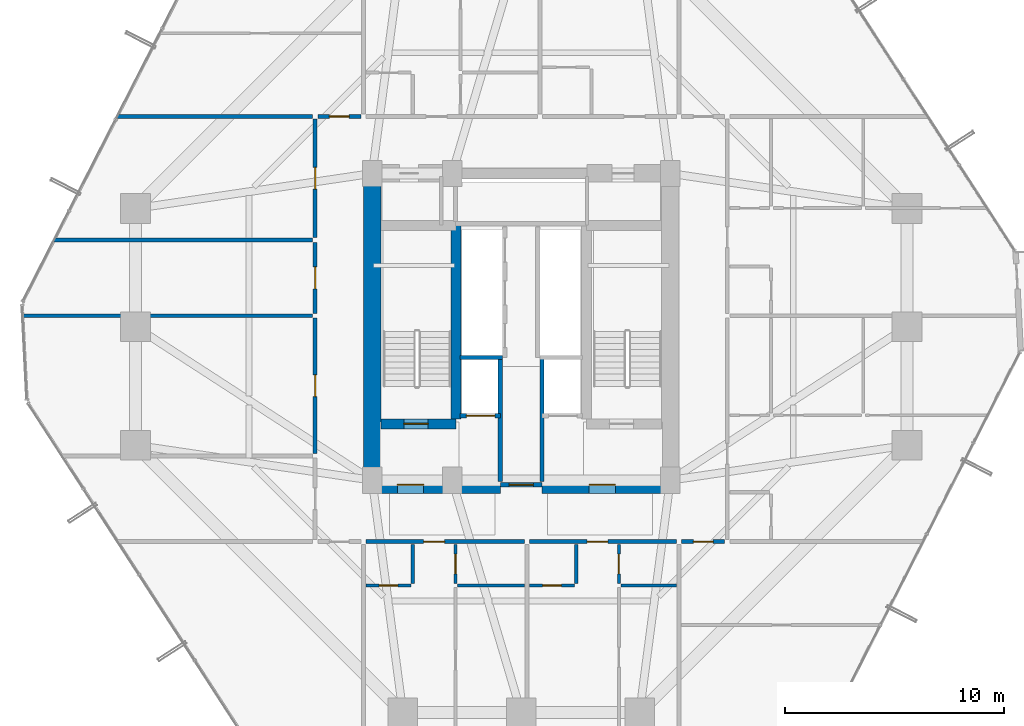
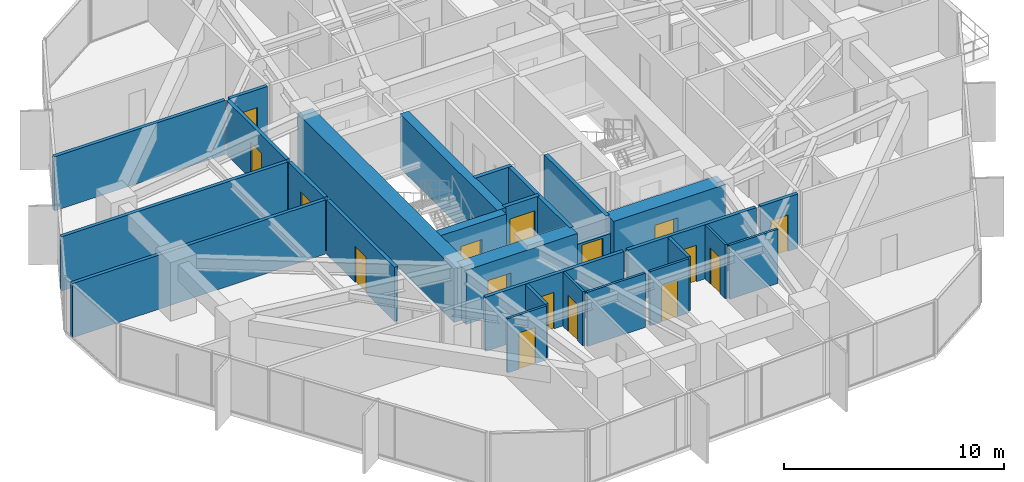
# One storey, part 33 of 37: 28 walls, 16 doors, 16 openings.
"""IFC4 building model written with IfcOpenShell, lengths in metres."""

from ifc_helpers import new_model, si_unit, direction, frame, frame_2d, origin, place, context, subcontext, project, spatial, rectangle, extrude, source, transform, mapped, material, layer, layer_set, type_object, element, fill, save


model = new_model("IFC4")

# Units and contexts
model_context = context("Model", 3, precision=1e-05, world=origin(), true_north=direction((0.0, 1.0)))
body_context = subcontext(model_context, "Body", "Model", "MODEL_VIEW")
ifc_project = project(units=[si_unit("LENGTHUNIT", "METRE"), si_unit("AREAUNIT", "SQUARE_METRE"), si_unit("VOLUMEUNIT", "CUBIC_METRE"), si_unit("PLANEANGLEUNIT", "RADIAN"), si_unit("MASSUNIT", "GRAM", prefix="KILO")], contexts=[model_context])

# Site, building, storey
site_placement = place(None, origin())
site = spatial("IfcSite", under=ifc_project, at=site_placement, CompositionType="ELEMENT")
building_placement = place(site_placement, origin())
building = spatial("IfcBuilding", under=site, at=building_placement, Name="Veraguas Prism Commons", CompositionType="ELEMENT")
storey_placement = place(building_placement, frame((0.0, 0.0, 33.800048828125)))
storey = spatial("IfcBuildingStorey", under=building, at=storey_placement, Name="L08", CompositionType="ELEMENT", Elevation=33.800048828125)

# Wall, opening, door
ifc_material_1 = material(Name="Concrete C60/75", Category="concrete")
ifc_layer_1 = layer(ifc_material_1, 0.449951171875, Name="Core Internal Shear Wall Lower RC 450", Category="concrete")
ifc_layer_set_1 = layer_set([ifc_layer_1], Name="Concrete C60/75")
wall_type_1 = type_object("IfcWallType", Name="Core Internal Shear Wall Lower RC 450", PredefinedType="SHEAR", material=ifc_layer_set_1)
wall_1_placement = place(storey_placement, frame((17.60009765625, 19.574951171875, 0.0), z_axis=(0.0, 0.0, 1.0), x_axis=(1.0, 0.0, 0.0)))
wall_1 = element("IfcWall", 1, at=wall_1_placement, inside=storey, type_object=wall_type_1, Name="Stair ST-01 South Shear Wall L08", PredefinedType="SHEAR", context=body_context, shape_type="SweptSolid", body=[
    extrude(rectangle(XDim=3.4248046875, YDim=0.449951171875, at=frame_2d((1.71240234375, 0.0))), origin(), (0.0, 0.0, 1.0), 3.0),
])
opening_1_placement = place(wall_1_placement, frame((1.050048828125, 0.0, 0.0)))
opening_1 = element("IfcOpeningElement", 2, at=opening_1_placement, cuts=wall_1, Name="Opening DR-05", PredefinedType="OPENING", context=body_context, shape_type="SweptSolid", body=[
    extrude(rectangle(XDim=1.10009765625, YDim=2.030029296875, at=frame_2d((0.550048828125, 1.01513671875))), frame((0.0, 0.23486328125, 0.0), z_axis=(0.0, -1.0, 0.0), x_axis=(1.0, 0.0, 0.0)), (0.0, 0.0, 1.0), 0.469970703125),
])
ifc_material_2 = material(Name="Steel fire-rated door assembly", Category="steel")
door_type_1 = type_object("IfcDoorType", Name="Protected Stair and Refuge Fire Door 1100x2030", OperationType="NOTDEFINED", PredefinedType="DOOR", material=ifc_material_2)
shared_shape_1 = source(origin(), body_context, "Body", "SweptSolid", [
    extrude(rectangle(XDim=1.10009765625, YDim=2.030029296875, at=frame_2d((0.550048828125, 1.01513671875))), frame((0.0, 0.02490234375, 0.0), z_axis=(0.0, -1.0, 0.0), x_axis=(1.0, 0.0, 0.0)), (0.0, 0.0, 1.0), 0.050048828125),
])
door_1_placement = place(opening_1_placement, origin())
door_1 = element("IfcDoor", 3, at=door_1_placement, inside=storey, type_object=door_type_1, Name="Stair ST-01 Enclosure Door L08", OperationType="SINGLE_SWING_LEFT", OverallHeight=2.030029296875, OverallWidth=1.10009765625, PredefinedType="DOOR", context=body_context, shape_type="MappedRepresentation", body=[
    mapped(shared_shape_1, transform((0.0, 0.0, 0.0), scale=1.0)),
])
fill(opening_1, door_1)

# Walls
wall_2_placement = place(storey_placement, frame((21.02490234375, 19.800048828125, 0.0), z_axis=(0.0, 0.0, 1.0), x_axis=(0.0, 1.0, 0.0)))
element("IfcWall", 4, at=wall_2_placement, inside=storey, type_object=wall_type_1, Name="Stair ST-01 Inner Shear Wall L08", PredefinedType="SHEAR", context=body_context, shape_type="SweptSolid", body=[
    extrude(rectangle(XDim=8.824951171875, YDim=0.449951171875, at=frame_2d((4.41259765625, 0.0))), origin(), (0.0, 0.0, 1.0), 3.0),
])
ifc_layer_2 = layer(ifc_material_1, 0.800048828125, Name="Core Outer Shear Wall Lower RC 800", Category="concrete")
ifc_layer_set_2 = layer_set([ifc_layer_2], Name="Concrete C60/75")
wall_type_2 = type_object("IfcWallType", Name="Core Outer Shear Wall Lower RC 800", PredefinedType="SHEAR", material=ifc_layer_set_2)
wall_3_placement = place(storey_placement, frame((17.199951171875, 16.800048828125, 0.0), z_axis=(0.0, 0.0, 1.0), x_axis=(0.0, 1.0, 0.0)))
element("IfcWall", 5, at=wall_3_placement, inside=storey, type_object=wall_type_2, Name="Central Core West Shear Wall L08", PredefinedType="SHEAR", context=body_context, shape_type="SweptSolid", body=[
    extrude(rectangle(XDim=14.199951171875, YDim=0.800048828125, at=frame_2d((7.10009765625, 0.0))), origin(), (0.0, 0.0, 1.0), 3.0),
])

# Wall, opening, door
wall_4_placement = place(storey_placement, frame((17.199951171875, 16.800048828125, 0.0), z_axis=(0.0, 0.0, 1.0), x_axis=(1.0, 0.0, 0.0)))
wall_4 = element("IfcWall", 6, at=wall_4_placement, inside=storey, type_object=wall_type_2, Name="Central Core South-West Shear Wall L08", PredefinedType="SHEAR", context=body_context, shape_type="SweptSolid", body=[
    extrude(rectangle(XDim=5.85009765625, YDim=0.800048828125, at=frame_2d((2.925048828125, 0.0))), origin(), (0.0, 0.0, 1.0), 3.0),
])
opening_2_placement = place(wall_4_placement, frame((1.14990234375, 0.0, 0.0)))
opening_2 = element("IfcOpeningElement", 7, at=opening_2_placement, cuts=wall_4, Name="Opening DR-06", PredefinedType="OPENING", context=body_context, shape_type="SweptSolid", body=[
    extrude(rectangle(XDim=1.199951171875, YDim=2.030029296875, at=frame_2d((0.60009765625, 1.01513671875))), frame((0.0, 0.409912109375, 0.0), z_axis=(0.0, -1.0, 0.0), x_axis=(1.0, 0.0, 0.0)), (0.0, 0.0, 1.0), 0.820068359375),
])
door_type_2 = type_object("IfcDoorType", Name="Firefighting Lobby Smoke Door 1200x2030", OperationType="NOTDEFINED", PredefinedType="DOOR", material=ifc_material_2)
shared_shape_2 = source(origin(), body_context, "Body", "SweptSolid", [
    extrude(rectangle(XDim=1.199951171875, YDim=2.030029296875, at=frame_2d((0.60009765625, 1.01513671875))), frame((0.0, 0.02490234375, 0.0), z_axis=(0.0, -1.0, 0.0), x_axis=(1.0, 0.0, 0.0)), (0.0, 0.0, 1.0), 0.050048828125),
])
door_2_placement = place(opening_2_placement, origin())
door_2 = element("IfcDoor", 8, at=door_2_placement, inside=storey, type_object=door_type_2, Name="West FF Lobby Door L08", OperationType="SINGLE_SWING_RIGHT", OverallHeight=2.030029296875, OverallWidth=1.199951171875, PredefinedType="DOOR", context=body_context, shape_type="MappedRepresentation", body=[
    mapped(shared_shape_2, transform((0.0, 0.0, 0.0), scale=1.0)),
])
fill(opening_2, door_2)

wall_5_placement = place(storey_placement, frame((24.949951171875, 16.800048828125, 0.0), z_axis=(0.0, 0.0, 1.0), x_axis=(1.0, 0.0, 0.0)))
wall_5 = element("IfcWall", 9, at=wall_5_placement, inside=storey, type_object=wall_type_2, Name="Central Core South-East Shear Wall L08", PredefinedType="SHEAR", context=body_context, shape_type="SweptSolid", body=[
    extrude(rectangle(XDim=5.85009765625, YDim=0.800048828125, at=frame_2d((2.925048828125, 0.0))), origin(), (0.0, 0.0, 1.0), 3.0),
])
opening_3_placement = place(wall_5_placement, frame((2.14990234375, 0.0, 0.0)))
opening_3 = element("IfcOpeningElement", 10, at=opening_3_placement, cuts=wall_5, Name="Opening DR-06", PredefinedType="OPENING", context=body_context, shape_type="SweptSolid", body=[
    extrude(rectangle(XDim=1.199951171875, YDim=2.030029296875, at=frame_2d((0.60009765625, 1.01513671875))), frame((0.0, 0.409912109375, 0.0), z_axis=(0.0, -1.0, 0.0), x_axis=(1.0, 0.0, 0.0)), (0.0, 0.0, 1.0), 0.820068359375),
])
door_3_placement = place(opening_3_placement, origin())
door_3 = element("IfcDoor", 11, at=door_3_placement, inside=storey, type_object=door_type_2, Name="East FF Lobby Door L08", OperationType="SINGLE_SWING_RIGHT", OverallHeight=2.030029296875, OverallWidth=1.199951171875, PredefinedType="DOOR", context=body_context, shape_type="MappedRepresentation", body=[
    mapped(shared_shape_2, transform((0.0, 0.0, 0.0), scale=1.0)),
])
fill(opening_3, door_3)

ifc_material_3 = material(Name="Autoclaved aerated masonry block 10 MPa", Category="masonry")
ifc_layer_3 = layer(ifc_material_3, 0.179931640625, Name="Corridor and Inter-Tenancy Partition 180", Category="masonry")
ifc_layer_set_3 = layer_set([ifc_layer_3], Name="Autoclaved aerated masonry block 10 MPa")
wall_type_3 = type_object("IfcWallType", Name="Corridor and Inter-Tenancy Partition 180", PredefinedType="PARTITIONING", material=ifc_layer_set_3)
wall_6_placement = place(storey_placement, frame((16.909912109375, 14.199951171875, 0.0), z_axis=(0.0, 0.0, 1.0), x_axis=(1.0, 0.0, 0.0)))
wall_6 = element("IfcWall", 12, at=wall_6_placement, inside=storey, type_object=wall_type_3, Name="WL-L08-PT003", PredefinedType="PARTITIONING", context=body_context, shape_type="SweptSolid", body=[
    extrude(rectangle(XDim=7.238037109375, YDim=0.179931640625, at=frame_2d((3.619140625, 0.0))), origin(), (0.0, 0.0, 1.0), 3.0),
])
opening_4_placement = place(wall_6_placement, frame((2.639892578125, 0.0, 0.0)))
opening_4 = element("IfcOpeningElement", 13, at=opening_4_placement, cuts=wall_6, Name="Opening DR-01", PredefinedType="OPENING", context=body_context, shape_type="SweptSolid", body=[
    extrude(rectangle(XDim=0.949951171875, YDim=2.02001953125, at=frame_2d((0.47509765625, 1.010009765625))), frame((0.0, 0.099853515625, 0.0), z_axis=(0.0, -1.0, 0.0), x_axis=(1.0, 0.0, 0.0)), (0.0, 0.0, 1.0), 0.199951171875),
])
ifc_material_4 = material(Name="Anodised aluminium EN AW-6063 T6", Category="aluminium")
door_type_3 = type_object("IfcDoorType", Name="Apartment Entrance Fire Door 950x2020", OperationType="NOTDEFINED", PredefinedType="DOOR", material=ifc_material_4)
shared_shape_3 = source(origin(), body_context, "Body", "SweptSolid", [
    extrude(rectangle(XDim=0.949951171875, YDim=2.02001953125, at=frame_2d((0.47509765625, 1.010009765625))), frame((0.0, 0.02490234375, 0.0), z_axis=(0.0, -1.0, 0.0), x_axis=(1.0, 0.0, 0.0)), (0.0, 0.0, 1.0), 0.050048828125),
])
door_4_placement = place(opening_4_placement, origin())
door_4 = element("IfcDoor", 14, at=door_4_placement, inside=storey, type_object=door_type_3, Name="Flat 08A Entrance Door", OperationType="SINGLE_SWING_LEFT", OverallHeight=2.02001953125, OverallWidth=0.949951171875, PredefinedType="DOOR", context=body_context, shape_type="MappedRepresentation", body=[
    mapped(shared_shape_3, transform((0.0, 0.0, 0.0), scale=1.0)),
])
fill(opening_4, door_4)

wall_7_placement = place(storey_placement, frame((24.367919921875, 14.199951171875, 0.0), z_axis=(0.0, 0.0, 1.0), x_axis=(1.0, 0.0, 0.0)))
wall_7 = element("IfcWall", 15, at=wall_7_placement, inside=storey, type_object=wall_type_3, Name="WL-L08-PT010", PredefinedType="PARTITIONING", context=body_context, shape_type="SweptSolid", body=[
    extrude(rectangle(XDim=6.72216796875, YDim=0.179931640625, at=frame_2d((3.361083984375, 0.0))), origin(), (0.0, 0.0, 1.0), 3.0),
])
opening_5_placement = place(wall_7_placement, frame((2.639892578125, 0.0, 0.0)))
opening_5 = element("IfcOpeningElement", 16, at=opening_5_placement, cuts=wall_7, Name="Opening DR-01", PredefinedType="OPENING", context=body_context, shape_type="SweptSolid", body=[
    extrude(rectangle(XDim=0.949951171875, YDim=2.02001953125, at=frame_2d((0.47509765625, 1.010009765625))), frame((0.0, 0.099853515625, 0.0), z_axis=(0.0, -1.0, 0.0), x_axis=(1.0, 0.0, 0.0)), (0.0, 0.0, 1.0), 0.199951171875),
])
door_5_placement = place(opening_5_placement, origin())
door_5 = element("IfcDoor", 17, at=door_5_placement, inside=storey, type_object=door_type_3, Name="Flat 08B Entrance Door", OperationType="SINGLE_SWING_LEFT", OverallHeight=2.02001953125, OverallWidth=0.949951171875, PredefinedType="DOOR", context=body_context, shape_type="MappedRepresentation", body=[
    mapped(shared_shape_3, transform((0.0, 0.0, 0.0), scale=1.0)),
])
fill(opening_5, door_5)

# Wall
wall_8_placement = place(storey_placement, frame((14.47998046875, 33.60009765625, 0.0), z_axis=(0.0, 0.0, 1.0), x_axis=(-1.0, 0.0, 0.0)))
element("IfcWall", 18, at=wall_8_placement, inside=storey, type_object=wall_type_3, Name="WL-L08-PT029", PredefinedType="PARTITIONING", context=body_context, shape_type="SweptSolid", body=[
    extrude(rectangle(XDim=8.94921875, YDim=0.179931640625, at=frame_2d((4.474609375, 0.0))), origin(), (0.0, 0.0, 1.0), 3.0),
])

# Wall, opening, door
wall_9_placement = place(storey_placement, frame((14.60009765625, 18.22705078125, 0.0), z_axis=(0.0, 0.0, 1.0), x_axis=(0.0, 1.0, 0.0)))
wall_9 = element("IfcWall", 19, at=wall_9_placement, inside=storey, type_object=wall_type_3, Name="WL-L08-PT031", PredefinedType="PARTITIONING", context=body_context, shape_type="SweptSolid", body=[
    extrude(rectangle(XDim=6.1708984375, YDim=0.179931640625, at=frame_2d((3.08544921875, 0.0))), origin(), (0.0, 0.0, 1.0), 3.0),
])
opening_6_placement = place(wall_9_placement, frame((2.58544921875, 0.0, 0.0)))
opening_6 = element("IfcOpeningElement", 20, at=opening_6_placement, cuts=wall_9, Name="Opening DR-13", PredefinedType="OPENING", context=body_context, shape_type="SweptSolid", body=[
    extrude(rectangle(XDim=1.0, YDim=2.010009765625, at=frame_2d((0.5, 1.0048828125))), frame((0.0, 0.099853515625, 0.0), z_axis=(0.0, -1.0, 0.0), x_axis=(1.0, 0.0, 0.0)), (0.0, 0.0, 1.0), 0.199951171875),
])
door_type_4 = type_object("IfcDoorType", Name="Core Accessible WC and Clinic Fire Door 1000x2010", OperationType="NOTDEFINED", PredefinedType="DOOR", material=ifc_material_2)
shared_shape_4 = source(origin(), body_context, "Body", "SweptSolid", [
    extrude(rectangle(XDim=1.0, YDim=2.010009765625, at=frame_2d((0.5, 1.0048828125))), frame((0.0, 0.02490234375, 0.0), z_axis=(0.0, -1.0, 0.0), x_axis=(1.0, 0.0, 0.0)), (0.0, 0.0, 1.0), 0.050048828125),
])
door_6_placement = place(opening_6_placement, origin())
door_6 = element("IfcDoor", 21, at=door_6_placement, inside=storey, type_object=door_type_4, Name="Co-op Store W Door", OperationType="SINGLE_SWING_RIGHT", OverallHeight=2.010009765625, OverallWidth=1.0, PredefinedType="DOOR", context=body_context, shape_type="MappedRepresentation", body=[
    mapped(shared_shape_4, transform((0.0, 0.0, 0.0), scale=1.0)),
])
fill(opening_6, door_6)

# Wall
wall_10_placement = place(storey_placement, frame((14.47998046875, 24.508056640625, 0.0), z_axis=(0.0, 0.0, 1.0), x_axis=(-1.0, 0.0, 0.0)))
element("IfcWall", 22, at=wall_10_placement, inside=storey, type_object=wall_type_3, Name="WL-L08-PT033", PredefinedType="PARTITIONING", context=body_context, shape_type="SweptSolid", body=[
    extrude(rectangle(XDim=13.26708984375, YDim=0.179931640625, at=frame_2d((6.633544921875, 0.0))), origin(), (0.0, 0.0, 1.0), 3.0),
])

# Wall, opening, door
wall_11_placement = place(storey_placement, frame((14.60009765625, 24.617919921875, 0.0), z_axis=(0.0, 0.0, 1.0), x_axis=(0.0, 1.0, 0.0)))
wall_11 = element("IfcWall", 23, at=wall_11_placement, inside=storey, type_object=wall_type_3, Name="WL-L08-PT034", PredefinedType="PARTITIONING", context=body_context, shape_type="SweptSolid", body=[
    extrude(rectangle(XDim=3.235107421875, YDim=0.179931640625, at=frame_2d((1.61767578125, 0.0))), origin(), (0.0, 0.0, 1.0), 3.0),
])
opening_7_placement = place(wall_11_placement, frame((1.117431640625, 0.0, 0.0)))
opening_7 = element("IfcOpeningElement", 24, at=opening_7_placement, cuts=wall_11, Name="Opening DR-13", PredefinedType="OPENING", context=body_context, shape_type="SweptSolid", body=[
    extrude(rectangle(XDim=1.0, YDim=2.010009765625, at=frame_2d((0.5, 1.0048828125))), frame((0.0, 0.099853515625, 0.0), z_axis=(0.0, -1.0, 0.0), x_axis=(1.0, 0.0, 0.0)), (0.0, 0.0, 1.0), 0.199951171875),
])
door_7_placement = place(opening_7_placement, origin())
door_7 = element("IfcDoor", 25, at=door_7_placement, inside=storey, type_object=door_type_4, Name="Youth Homework Study Room Door", OperationType="SINGLE_SWING_LEFT", OverallHeight=2.010009765625, OverallWidth=1.0, PredefinedType="DOOR", context=body_context, shape_type="MappedRepresentation", body=[
    mapped(shared_shape_4, transform((0.0, 0.0, 0.0), scale=1.0)),
])
fill(opening_7, door_7)

wall_12_placement = place(storey_placement, frame((14.60009765625, 28.072998046875, 0.0), z_axis=(0.0, 0.0, 1.0), x_axis=(0.0, 1.0, 0.0)))
wall_12 = element("IfcWall", 26, at=wall_12_placement, inside=storey, type_object=wall_type_3, Name="WL-L08-PT035", PredefinedType="PARTITIONING", context=body_context, shape_type="SweptSolid", body=[
    extrude(rectangle(XDim=5.4169921875, YDim=0.179931640625, at=frame_2d((2.70849609375, 0.0))), origin(), (0.0, 0.0, 1.0), 3.0),
])
opening_8_placement = place(wall_12_placement, frame((2.20849609375, 0.0, 0.0)))
opening_8 = element("IfcOpeningElement", 27, at=opening_8_placement, cuts=wall_12, Name="Opening DR-13", PredefinedType="OPENING", context=body_context, shape_type="SweptSolid", body=[
    extrude(rectangle(XDim=1.0, YDim=2.010009765625, at=frame_2d((0.5, 1.0048828125))), frame((0.0, 0.099853515625, 0.0), z_axis=(0.0, -1.0, 0.0), x_axis=(1.0, 0.0, 0.0)), (0.0, 0.0, 1.0), 0.199951171875),
])
door_8_placement = place(opening_8_placement, origin())
door_8 = element("IfcDoor", 28, at=door_8_placement, inside=storey, type_object=door_type_4, Name="Co-op Store W Door", OperationType="SINGLE_SWING_RIGHT", OverallHeight=2.010009765625, OverallWidth=1.0, PredefinedType="DOOR", context=body_context, shape_type="MappedRepresentation", body=[
    mapped(shared_shape_4, transform((0.0, 0.0, 0.0), scale=1.0)),
])
fill(opening_8, door_8)

# Wall
wall_13_placement = place(storey_placement, frame((14.47998046875, 27.962890625, 0.0), z_axis=(0.0, 0.0, 1.0), x_axis=(-1.0, 0.0, 0.0)))
element("IfcWall", 29, at=wall_13_placement, inside=storey, type_object=wall_type_3, Name="WL-L08-PT036", PredefinedType="PARTITIONING", context=body_context, shape_type="SweptSolid", body=[
    extrude(rectangle(XDim=11.828857421875, YDim=0.179931640625, at=frame_2d((5.91455078125, 0.0))), origin(), (0.0, 0.0, 1.0), 3.0),
])

# Wall, opening, door
wall_14_placement = place(storey_placement, frame((31.320068359375, 14.199951171875, 0.0), z_axis=(0.0, 0.0, 1.0), x_axis=(1.0, 0.0, 0.0)))
wall_14 = element("IfcWall", 30, at=wall_14_placement, inside=storey, type_object=wall_type_3, Name="WL-L08-PT057", PredefinedType="PARTITIONING", context=body_context, shape_type="SweptSolid", body=[
    extrude(rectangle(XDim=1.9599609375, YDim=0.179931640625, at=frame_2d((0.97998046875, 0.0))), origin(), (0.0, 0.0, 1.0), 3.0),
])
opening_9_placement = place(wall_14_placement, frame((0.530029296875, 0.0, 0.0)))
opening_9 = element("IfcOpeningElement", 31, at=opening_9_placement, cuts=wall_14, Name="Opening DR-14", PredefinedType="OPENING", context=body_context, shape_type="SweptSolid", body=[
    extrude(rectangle(XDim=0.89990234375, YDim=2.010009765625, at=frame_2d((0.449951171875, 1.0048828125))), frame((0.0, 0.099853515625, 0.0), z_axis=(0.0, -1.0, 0.0), x_axis=(1.0, 0.0, 0.0)), (0.0, 0.0, 1.0), 0.199951171875),
])
door_type_5 = type_object("IfcDoorType", Name="Core Service Room Fire Door 900x2010", OperationType="NOTDEFINED", PredefinedType="DOOR", material=ifc_material_2)
shared_shape_5 = source(origin(), body_context, "Body", "SweptSolid", [
    extrude(rectangle(XDim=0.89990234375, YDim=2.010009765625, at=frame_2d((0.449951171875, 1.0048828125))), frame((0.0, 0.02490234375, 0.0), z_axis=(0.0, -1.0, 0.0), x_axis=(1.0, 0.0, 0.0)), (0.0, 0.0, 1.0), 0.050048828125),
])
door_9_placement = place(opening_9_placement, origin())
door_9 = element("IfcDoor", 32, at=door_9_placement, inside=storey, type_object=door_type_5, Name="Shared Laundry Room Door", OperationType="SINGLE_SWING_RIGHT", OverallHeight=2.010009765625, OverallWidth=0.89990234375, PredefinedType="DOOR", context=body_context, shape_type="MappedRepresentation", body=[
    mapped(shared_shape_5, transform((0.0, 0.0, 0.0), scale=1.0)),
])
fill(opening_9, door_9)

wall_15_placement = place(storey_placement, frame((14.719970703125, 33.60009765625, 0.0), z_axis=(0.0, 0.0, 1.0), x_axis=(1.0, 0.0, 0.0)))
wall_15 = element("IfcWall", 33, at=wall_15_placement, inside=storey, type_object=wall_type_3, Name="WL-L08-PT059", PredefinedType="PARTITIONING", context=body_context, shape_type="SweptSolid", body=[
    extrude(rectangle(XDim=1.9599609375, YDim=0.179931640625, at=frame_2d((0.97998046875, 0.0))), origin(), (0.0, 0.0, 1.0), 3.0),
])
opening_10_placement = place(wall_15_placement, frame((0.530029296875, 0.0, 0.0)))
opening_10 = element("IfcOpeningElement", 34, at=opening_10_placement, cuts=wall_15, Name="Opening DR-14", PredefinedType="OPENING", context=body_context, shape_type="SweptSolid", body=[
    extrude(rectangle(XDim=0.89990234375, YDim=2.010009765625, at=frame_2d((0.449951171875, 1.0048828125))), frame((0.0, 0.099853515625, 0.0), z_axis=(0.0, -1.0, 0.0), x_axis=(1.0, 0.0, 0.0)), (0.0, 0.0, 1.0), 0.199951171875),
])
door_10_placement = place(opening_10_placement, origin())
door_10 = element("IfcDoor", 35, at=door_10_placement, inside=storey, type_object=door_type_5, Name="Community Co-op Kitchen Door", OperationType="SINGLE_SWING_RIGHT", OverallHeight=2.010009765625, OverallWidth=0.89990234375, PredefinedType="DOOR", context=body_context, shape_type="MappedRepresentation", body=[
    mapped(shared_shape_5, transform((0.0, 0.0, 0.0), scale=1.0)),
])
fill(opening_10, door_10)

ifc_material_5 = material(Name="Lightweight acoustic gypsum board")
ifc_layer_4 = layer(ifc_material_5, 0.125, Name="Internal Apartment Room Partition 125")
ifc_layer_set_4 = layer_set([ifc_layer_4], Name="Lightweight acoustic gypsum board")
wall_type_4 = type_object("IfcWallType", Name="Internal Apartment Room Partition 125", PredefinedType="PARTITIONING", material=ifc_layer_set_4)
wall_16_placement = place(storey_placement, frame((16.919921875, 12.199951171875, 0.0), z_axis=(0.0, 0.0, 1.0), x_axis=(1.0, 0.0, 0.0)))
wall_16 = element("IfcWall", 36, at=wall_16_placement, inside=storey, type_object=wall_type_4, Name="WL-L08-PT005", PredefinedType="PARTITIONING", context=body_context, shape_type="SweptSolid", body=[
    extrude(rectangle(XDim=2.050048828125, YDim=0.125, at=frame_2d((1.02490234375, 0.0))), origin(), (0.0, 0.0, 1.0), 3.0),
])
opening_11_placement = place(wall_16_placement, frame((0.594970703125, 0.0, 0.0)))
opening_11 = element("IfcOpeningElement", 37, at=opening_11_placement, cuts=wall_16, Name="Opening DR-03", PredefinedType="OPENING", context=body_context, shape_type="SweptSolid", body=[
    extrude(rectangle(XDim=0.860107421875, YDim=2.010009765625, at=frame_2d((0.43017578125, 1.0048828125))), frame((0.0, 0.072509765625, 0.0), z_axis=(0.0, -1.0, 0.0), x_axis=(1.0, 0.0, 0.0)), (0.0, 0.0, 1.0), 0.14501953125),
])
ifc_material_6 = material(Name="Timber moisture-resistant leaf", Category="wood")
door_type_6 = type_object("IfcDoorType", Name="Internal Bathroom Door 860x2010", OperationType="NOTDEFINED", PredefinedType="DOOR", material=ifc_material_6)
shared_shape_6 = source(origin(), body_context, "Body", "SweptSolid", [
    extrude(rectangle(XDim=0.860107421875, YDim=2.010009765625, at=frame_2d((0.43017578125, 1.0048828125))), frame((0.0, 0.02490234375, 0.0), z_axis=(0.0, -1.0, 0.0), x_axis=(1.0, 0.0, 0.0)), (0.0, 0.0, 1.0), 0.050048828125),
])
door_11_placement = place(opening_11_placement, origin())
door_11 = element("IfcDoor", 38, at=door_11_placement, inside=storey, type_object=door_type_6, Name="Flat 08A Bathroom Door", OperationType="SINGLE_SWING_RIGHT", OverallHeight=2.010009765625, OverallWidth=0.860107421875, PredefinedType="DOOR", context=body_context, shape_type="MappedRepresentation", body=[
    mapped(shared_shape_6, transform((0.0, 0.0, 0.0), scale=1.0)),
])
fill(opening_11, door_11)

wall_17_placement = place(storey_placement, frame((21.0, 14.080078125, 0.0), z_axis=(0.0, 0.0, 1.0), x_axis=(0.0, -1.0, 0.0)))
wall_17 = element("IfcWall", 39, at=wall_17_placement, inside=storey, type_object=wall_type_4, Name="WL-L08-PT006", PredefinedType="PARTITIONING", context=body_context, shape_type="SweptSolid", body=[
    extrude(rectangle(XDim=1.800048828125, YDim=0.125, at=frame_2d((0.89990234375, 0.0))), origin(), (0.0, 0.0, 1.0), 3.0),
])
opening_12_placement = place(wall_17_placement, frame((0.449951171875, 0.0, 0.0)))
opening_12 = element("IfcOpeningElement", 40, at=opening_12_placement, cuts=wall_17, Name="Opening DR-02", PredefinedType="OPENING", context=body_context, shape_type="SweptSolid", body=[
    extrude(rectangle(XDim=0.89990234375, YDim=2.010009765625, at=frame_2d((0.449951171875, 1.0048828125))), frame((0.0, 0.072509765625, 0.0), z_axis=(0.0, -1.0, 0.0), x_axis=(1.0, 0.0, 0.0)), (0.0, 0.0, 1.0), 0.14501953125),
])
ifc_material_7 = material(Name="Timber solid core hardwood", Category="wood")
door_type_7 = type_object("IfcDoorType", Name="Internal Habitable Room Door 900x2010", OperationType="NOTDEFINED", PredefinedType="DOOR", material=ifc_material_7)
door_12_placement = place(opening_12_placement, origin())
door_12 = element("IfcDoor", 41, at=door_12_placement, inside=storey, type_object=door_type_7, Name="Flat 08A Kitchen Door", OperationType="SINGLE_SWING_LEFT", OverallHeight=2.010009765625, OverallWidth=0.89990234375, PredefinedType="DOOR", context=body_context, shape_type="MappedRepresentation", body=[
    mapped(shared_shape_5, transform((0.0, 0.0, 0.0), scale=1.0)),
])
fill(opening_12, door_12)

# Wall
wall_18_placement = place(storey_placement, frame((21.10009765625, 12.199951171875, 0.0), z_axis=(0.0, 0.0, 1.0), x_axis=(1.0, 0.0, 0.0)))
element("IfcWall", 42, at=wall_18_placement, inside=storey, type_object=wall_type_4, Name="WL-L08-PT007", PredefinedType="PARTITIONING", context=body_context, shape_type="SweptSolid", body=[
    extrude(rectangle(XDim=3.037841796875, YDim=0.125, at=frame_2d((1.51904296875, 0.0))), origin(), (0.0, 0.0, 1.0), 3.0),
])

# Wall, opening, door
wall_19_placement = place(storey_placement, frame((24.3779296875, 12.199951171875, 0.0), z_axis=(0.0, 0.0, 1.0), x_axis=(1.0, 0.0, 0.0)))
wall_19 = element("IfcWall", 43, at=wall_19_placement, inside=storey, type_object=wall_type_4, Name="WL-L08-PT012", PredefinedType="PARTITIONING", context=body_context, shape_type="SweptSolid", body=[
    extrude(rectangle(XDim=2.050048828125, YDim=0.125, at=frame_2d((1.02490234375, 0.0))), origin(), (0.0, 0.0, 1.0), 3.0),
])
opening_13_placement = place(wall_19_placement, frame((0.594970703125, 0.0, 0.0)))
opening_13 = element("IfcOpeningElement", 44, at=opening_13_placement, cuts=wall_19, Name="Opening DR-03", PredefinedType="OPENING", context=body_context, shape_type="SweptSolid", body=[
    extrude(rectangle(XDim=0.860107421875, YDim=2.010009765625, at=frame_2d((0.43017578125, 1.0048828125))), frame((0.0, 0.072509765625, 0.0), z_axis=(0.0, -1.0, 0.0), x_axis=(1.0, 0.0, 0.0)), (0.0, 0.0, 1.0), 0.14501953125),
])
door_13_placement = place(opening_13_placement, origin())
door_13 = element("IfcDoor", 45, at=door_13_placement, inside=storey, type_object=door_type_6, Name="Flat 08B Bathroom Door", OperationType="SINGLE_SWING_RIGHT", OverallHeight=2.010009765625, OverallWidth=0.860107421875, PredefinedType="DOOR", context=body_context, shape_type="MappedRepresentation", body=[
    mapped(shared_shape_6, transform((0.0, 0.0, 0.0), scale=1.0)),
])
fill(opening_13, door_13)

wall_20_placement = place(storey_placement, frame((28.4580078125, 14.080078125, 0.0), z_axis=(0.0, 0.0, 1.0), x_axis=(0.0, -1.0, 0.0)))
wall_20 = element("IfcWall", 46, at=wall_20_placement, inside=storey, type_object=wall_type_4, Name="WL-L08-PT013", PredefinedType="PARTITIONING", context=body_context, shape_type="SweptSolid", body=[
    extrude(rectangle(XDim=1.800048828125, YDim=0.125, at=frame_2d((0.89990234375, 0.0))), origin(), (0.0, 0.0, 1.0), 3.0),
])
opening_14_placement = place(wall_20_placement, frame((0.449951171875, 0.0, 0.0)))
opening_14 = element("IfcOpeningElement", 47, at=opening_14_placement, cuts=wall_20, Name="Opening DR-02", PredefinedType="OPENING", context=body_context, shape_type="SweptSolid", body=[
    extrude(rectangle(XDim=0.89990234375, YDim=2.010009765625, at=frame_2d((0.449951171875, 1.0048828125))), frame((0.0, 0.072509765625, 0.0), z_axis=(0.0, -1.0, 0.0), x_axis=(1.0, 0.0, 0.0)), (0.0, 0.0, 1.0), 0.14501953125),
])
door_14_placement = place(opening_14_placement, origin())
door_14 = element("IfcDoor", 48, at=door_14_placement, inside=storey, type_object=door_type_7, Name="Flat 08B Kitchen Door", OperationType="SINGLE_SWING_LEFT", OverallHeight=2.010009765625, OverallWidth=0.89990234375, PredefinedType="DOOR", context=body_context, shape_type="MappedRepresentation", body=[
    mapped(shared_shape_5, transform((0.0, 0.0, 0.0), scale=1.0)),
])
fill(opening_14, door_14)

# Wall
wall_21_placement = place(storey_placement, frame((28.55810546875, 12.199951171875, 0.0), z_axis=(0.0, 0.0, 1.0), x_axis=(1.0, 0.0, 0.0)))
element("IfcWall", 49, at=wall_21_placement, inside=storey, type_object=wall_type_4, Name="WL-L08-PT014", PredefinedType="PARTITIONING", context=body_context, shape_type="SweptSolid", body=[
    extrude(rectangle(XDim=2.52197265625, YDim=0.125, at=frame_2d((1.260986328125, 0.0))), origin(), (0.0, 0.0, 1.0), 3.0),
])

# Wall, opening, door
ifc_layer_5 = layer(ifc_material_3, 0.199951171875, Name="Rated Shaft and Lobby Block Wall 200", Category="masonry")
ifc_layer_set_5 = layer_set([ifc_layer_5], Name="Autoclaved aerated masonry block 10 MPa")
wall_type_5 = type_object("IfcWallType", Name="Rated Shaft and Lobby Block Wall 200", PredefinedType="SOLIDWALL", material=ifc_layer_set_5)
wall_22_placement = place(storey_placement, frame((23.050048828125, 16.800048828125, 0.0), z_axis=(0.0, 0.0, 1.0), x_axis=(1.0, 0.0, 0.0)))
wall_22 = element("IfcWall", 50, at=wall_22_placement, inside=storey, type_object=wall_type_5, Name="Central Core Lobby Entrance Wall L08", PredefinedType="SOLIDWALL", context=body_context, shape_type="SweptSolid", body=[
    extrude(rectangle(XDim=1.89990234375, YDim=0.199951171875, at=frame_2d((0.949951171875, 0.0))), origin(), (0.0, 0.0, 1.0), 2.14990234375),
])
opening_15_placement = place(wall_22_placement, frame((0.39990234375, 0.0, 0.0)))
opening_15 = element("IfcOpeningElement", 51, at=opening_15_placement, cuts=wall_22, Name="Opening DR-05", PredefinedType="OPENING", context=body_context, shape_type="SweptSolid", body=[
    extrude(rectangle(XDim=1.10009765625, YDim=2.030029296875, at=frame_2d((0.550048828125, 1.01513671875))), frame((0.0, 0.10986328125, 0.0), z_axis=(0.0, -1.0, 0.0), x_axis=(1.0, 0.0, 0.0)), (0.0, 0.0, 1.0), 0.219970703125),
])
door_15_placement = place(opening_15_placement, origin())
door_15 = element("IfcDoor", 52, at=door_15_placement, inside=storey, type_object=door_type_1, Name="Central Lobby Door L08", OperationType="SINGLE_SWING_LEFT", OverallHeight=2.030029296875, OverallWidth=1.10009765625, PredefinedType="DOOR", context=body_context, shape_type="MappedRepresentation", body=[
    mapped(shared_shape_1, transform((0.0, 0.0, 0.0), scale=1.0)),
])
fill(opening_15, door_15)

wall_23_placement = place(storey_placement, frame((21.199951171875, 19.949951171875, 0.0), z_axis=(0.0, 0.0, 1.0), x_axis=(1.0, 0.0, 0.0)))
wall_23 = element("IfcWall", 53, at=wall_23_placement, inside=storey, type_object=wall_type_5, Name="Firefighting Lift FFL-1 Front Wall L08", PredefinedType="SOLIDWALL", context=body_context, shape_type="SweptSolid", body=[
    extrude(rectangle(XDim=1.85009765625, YDim=0.199951171875, at=frame_2d((0.925048828125, 0.0))), origin(), (0.0, 0.0, 1.0), 3.0),
])
opening_16_placement = place(wall_23_placement, frame((0.300048828125, 0.0, 0.0)))
opening_16 = element("IfcOpeningElement", 54, at=opening_16_placement, cuts=wall_23, Name="Opening LD-02", PredefinedType="OPENING", context=body_context, shape_type="SweptSolid", body=[
    extrude(rectangle(XDim=1.300048828125, YDim=2.25, at=frame_2d((0.64990234375, 1.125))), frame((0.0, 0.10986328125, 0.0), z_axis=(0.0, -1.0, 0.0), x_axis=(1.0, 0.0, 0.0)), (0.0, 0.0, 1.0), 0.219970703125),
])
ifc_material_8 = material(Name="Stainless steel AISI 316", Category="steel")
door_type_8 = type_object("IfcDoorType", Name="Firefighting Lift Sliding Landing Door 1300x2250", OperationType="NOTDEFINED", PredefinedType="DOOR", material=ifc_material_8)
shared_shape_7 = source(origin(), body_context, "Body", "SweptSolid", [
    extrude(rectangle(XDim=1.300048828125, YDim=2.25, at=frame_2d((0.64990234375, 1.125))), frame((0.0, 0.02490234375, 0.0), z_axis=(0.0, -1.0, 0.0), x_axis=(1.0, 0.0, 0.0)), (0.0, 0.0, 1.0), 0.050048828125),
])
door_16_placement = place(opening_16_placement, origin())
door_16 = element("IfcDoor", 55, at=door_16_placement, inside=storey, type_object=door_type_8, Name="Firefighting Lift FFL-1 Landing Door L08", OperationType="SLIDING_TO_LEFT", OverallHeight=2.25, OverallWidth=1.300048828125, PredefinedType="DOOR", context=body_context, shape_type="MappedRepresentation", body=[
    mapped(shared_shape_7, transform((0.0, 0.0, 0.0), scale=1.0)),
])
fill(opening_16, door_16)

# Walls
for number, where, z_axis, x_axis, name in (
    (56, (23.050048828125, 16.949951171875, 0.0), (0.0, 0.0, 1.0), (0.0, 1.0, 0.0), "West FF Lobby Divider Wall L08"),
    (57, (24.949951171875, 16.949951171875, 0.0), (0.0, 0.0, 1.0), (0.0, 1.0, 0.0), "East FF Lobby Divider Wall L08"),
):
    element("IfcWall", number, at=place(storey_placement, frame(where, z_axis=z_axis, x_axis=x_axis)), inside=storey, type_object=wall_type_5, Name=name, PredefinedType="SOLIDWALL", context=body_context, shape_type="SweptSolid", body=[
        extrude(rectangle(XDim=5.60009765625, YDim=0.199951171875, at=frame_2d((2.800048828125, 0.0))), origin(), (0.0, 0.0, 1.0), 3.0),
    ])
wall_24_placement = place(storey_placement, frame((21.199951171875, 22.60009765625, 0.0), z_axis=(0.0, 0.0, 1.0), x_axis=(1.0, 0.0, 0.0)))
element("IfcWall", 58, at=wall_24_placement, inside=storey, type_object=wall_type_5, Name="Firefighting Lift FFL-1 Rear Wall L08", PredefinedType="SOLIDWALL", context=body_context, shape_type="SweptSolid", body=[
    extrude(rectangle(XDim=1.949951171875, YDim=0.199951171875, at=frame_2d((0.97509765625, 0.0))), origin(), (0.0, 0.0, 1.0), 3.0),
])
ifc_layer_6 = layer(ifc_material_5, 0.14990234375, Name="Wet Room and Clinic Acoustic Partition 150")
ifc_layer_set_6 = layer_set([ifc_layer_6], Name="Lightweight acoustic gypsum board")
wall_type_6 = type_object("IfcWallType", Name="Wet Room and Clinic Acoustic Partition 150", PredefinedType="PARTITIONING", material=ifc_layer_set_6)
for number, where, z_axis, x_axis, name in (
    (59, (19.050048828125, 14.080078125, 0.0), (0.0, 0.0, 1.0), (0.0, -1.0, 0.0), "WL-L08-PT004"),
    (60, (26.508056640625, 14.080078125, 0.0), (0.0, 0.0, 1.0), (0.0, -1.0, 0.0), "WL-L08-PT011"),
):
    element("IfcWall", number, at=place(storey_placement, frame(where, z_axis=z_axis, x_axis=x_axis)), inside=storey, type_object=wall_type_6, Name=name, PredefinedType="PARTITIONING", context=body_context, shape_type="SweptSolid", body=[
        extrude(rectangle(XDim=1.800048828125, YDim=0.14990234375, at=frame_2d((0.89990234375, 0.0))), origin(), (0.0, 0.0, 1.0), 3.0),
    ])

save(model, "model.ifc")
